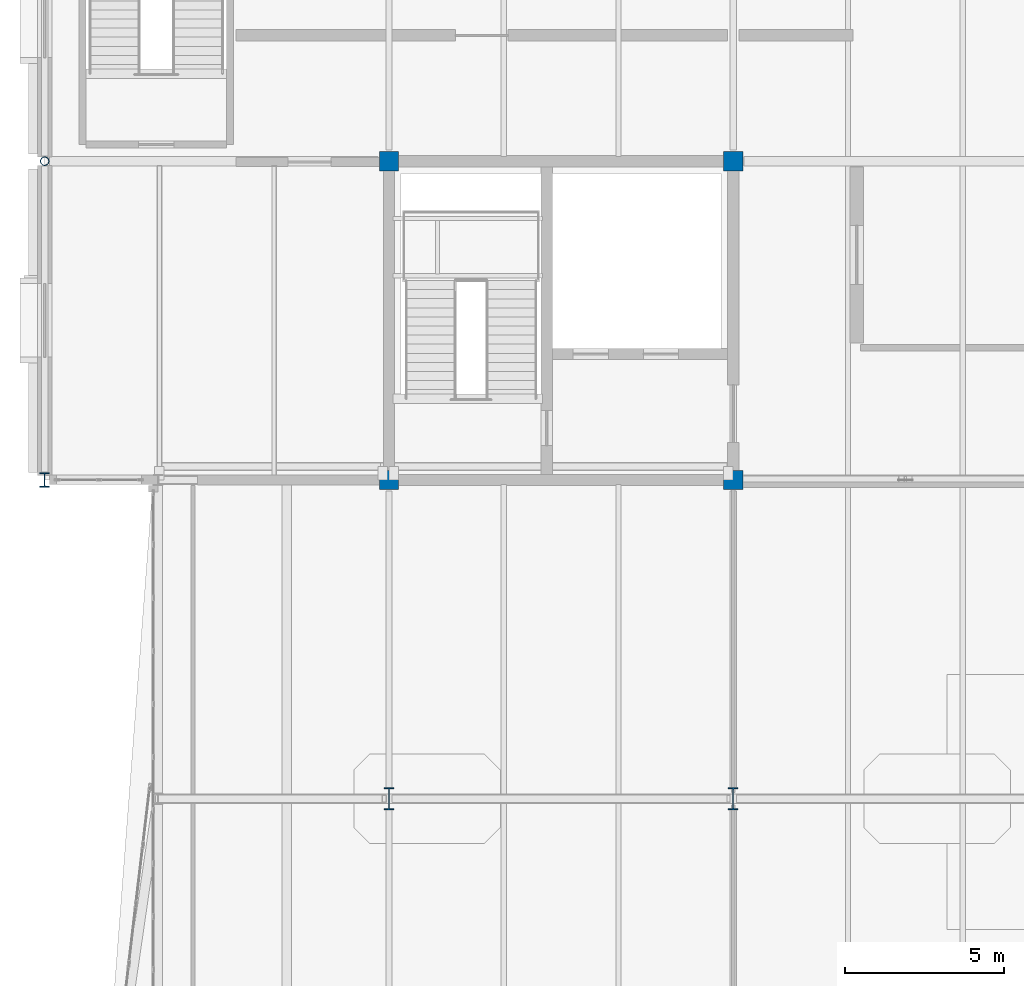
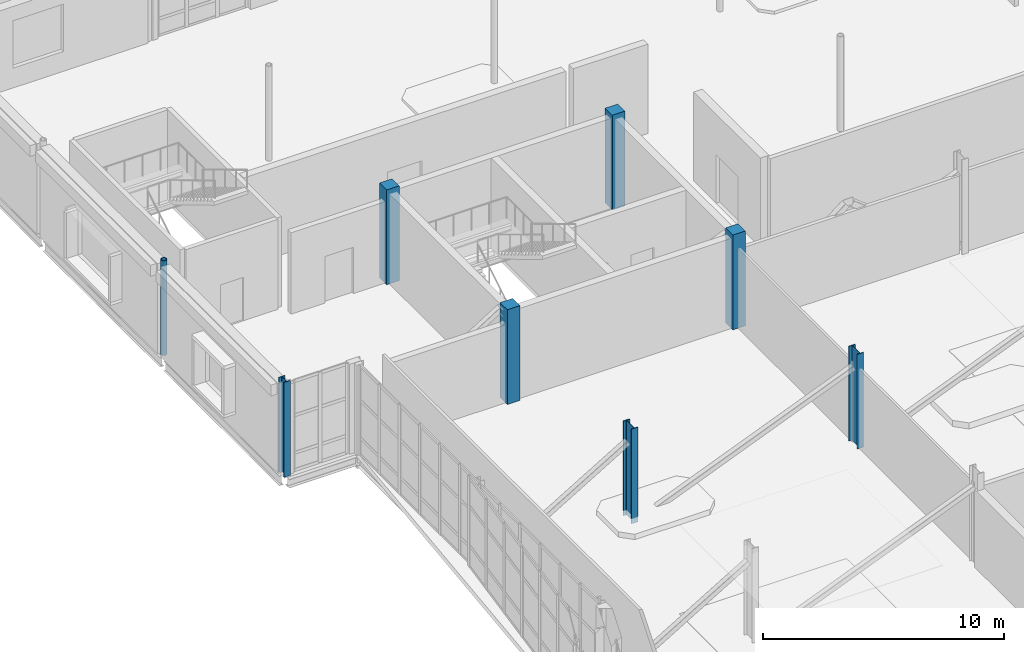
# One storey, part 6 of 100: 8 columns.
"""IFC4 building model written with IfcOpenShell, lengths in metres."""

from ifc_helpers import new_model, si_unit, direction, frame, origin, origin_2d, place, context, subcontext, project, spatial, rectangle, hollow_circle, i_section, extrude, material, material_profile, profile_set, type_object, element, save


model = new_model("IFC4")

# Units and contexts
model_context = context("Model", 3, precision=1e-05, world=origin(), true_north=direction((0.0, 1.0)))
body_context = subcontext(model_context, "Body", "Model", "MODEL_VIEW")
ifc_project = project(units=[si_unit("LENGTHUNIT", "METRE"), si_unit("AREAUNIT", "SQUARE_METRE"), si_unit("VOLUMEUNIT", "CUBIC_METRE"), si_unit("PLANEANGLEUNIT", "RADIAN"), si_unit("MASSUNIT", "GRAM", prefix="KILO")], contexts=[model_context])

# Site, building, storey
site_placement = place(None, origin())
site = spatial("IfcSite", under=ifc_project, at=site_placement, CompositionType="ELEMENT")
building_placement = place(site_placement, origin())
building = spatial("IfcBuilding", under=site, at=building_placement, Name="Tasgan Crest Museum", CompositionType="ELEMENT")
storey_placement = place(building_placement, frame((0.0, 0.0, 9.60009765625)))
storey = spatial("IfcBuildingStorey", under=building, at=storey_placement, Name="L02", CompositionType="ELEMENT", Elevation=9.60009765625)

# Columns
ifc_material_1 = material(Name="Steel S355J2", Category="steel")
ifc_material_profile_1 = material_profile(ifc_material_1, hollow_circle(Radius=0.136474609375, WallThickness=0.012451171875, at=origin_2d()), Name="CHS 273x12.5")
ifc_profile_set_1 = profile_set([ifc_material_profile_1], Name="Steel S355J2")
column_type_1 = type_object("IfcColumnType", Name="COL-CHS273", PredefinedType="COLUMN", material=ifc_profile_set_1)
column_1_placement = place(storey_placement, frame((0.0, 92.0, 0.0), z_axis=(0.0, 0.0, 1.0), x_axis=(1.0, 0.0, 0.0)))
element("IfcColumn", 1, at=column_1_placement, inside=storey, type_object=column_type_1, Name="Column 1/K L02", PredefinedType="COLUMN", context=body_context, shape_type="SweptSolid", body=[
    extrude(hollow_circle(Radius=0.136474609375, WallThickness=0.012451171875, at=origin_2d()), origin(), (0.0, 0.0, 1.0), 4.7998046875),
])
ifc_material_2 = material(Name="Steel S355J2", Category="steel")
ifc_material_profile_2 = material_profile(ifc_material_2, i_section(OverallWidth=0.300048828125, OverallDepth=0.449951171875, WebThickness=0.013916015625, FlangeThickness=0.02587890625, FilletRadius=0.027099609375, at=origin_2d()), Name="HEB 450")
ifc_profile_set_2 = profile_set([ifc_material_profile_2], Name="Steel S355J2")
column_type_2 = type_object("IfcColumnType", Name="COL-HEB450", PredefinedType="COLUMN", material=ifc_profile_set_2)
column_2_placement = place(storey_placement, frame((0.0, 82.0, 0.0), z_axis=(0.0, 0.0, 1.0), x_axis=(1.0, 0.0, 0.0)))
element("IfcColumn", 2, at=column_2_placement, inside=storey, type_object=column_type_2, Name="Column 1/J L02", PredefinedType="COLUMN", context=body_context, shape_type="SweptSolid", body=[
    extrude(i_section(OverallWidth=0.300048828125, OverallDepth=0.449951171875, WebThickness=0.013916015625, FlangeThickness=0.02587890625, FilletRadius=0.027099609375, at=origin_2d()), origin(), (0.0, 0.0, 1.0), 4.7998046875),
])
ifc_material_3 = material(Name="Steel S355K2", Category="steel")
ifc_material_profile_3 = material_profile(ifc_material_3, i_section(OverallWidth=0.300048828125, OverallDepth=0.699951171875, WebThickness=0.01708984375, FlangeThickness=0.031982421875, FilletRadius=0.027099609375, at=origin_2d()), Name="HEB 700")
ifc_profile_set_3 = profile_set([ifc_material_profile_3], Name="Steel S355K2")
column_type_3 = type_object("IfcColumnType", Name="COL-HEB700", PredefinedType="COLUMN", material=ifc_profile_set_3)
for number, where, z_axis, x_axis, name in (
    (3, (10.800048828125, 72.0, 0.0), (0.0, 0.0, 1.0), (1.0, 0.0, 0.0), "Column 2/H L02"),
    (4, (21.60009765625, 72.0, 0.0), (0.0, 0.0, 1.0), (1.0, 0.0, 0.0), "Column 3/H L02"),
):
    element("IfcColumn", number, at=place(storey_placement, frame(where, z_axis=z_axis, x_axis=x_axis)), inside=storey, type_object=column_type_3, Name=name, PredefinedType="COLUMN", context=body_context, shape_type="SweptSolid", body=[
        extrude(i_section(OverallWidth=0.300048828125, OverallDepth=0.699951171875, WebThickness=0.01708984375, FlangeThickness=0.031982421875, FilletRadius=0.027099609375, at=origin_2d()), origin(), (0.0, 0.0, 1.0), 4.7998046875),
    ])
ifc_material_4 = material(Name="Concrete C40/50", Category="concrete")
ifc_material_profile_4 = material_profile(ifc_material_4, rectangle(XDim=0.60009765625, YDim=0.60009765625, at=origin_2d()), Name="RC 600x600")
ifc_profile_set_4 = profile_set([ifc_material_profile_4], Name="Concrete C40/50")
column_type_4 = type_object("IfcColumnType", Name="COL-RC600", PredefinedType="COLUMN", material=ifc_profile_set_4)
for number, where, z_axis, x_axis, name in (
    (5, (10.800048828125, 82.0, 0.0), (0.0, 0.0, 1.0), (1.0, 0.0, 0.0), "Column 2/J L02"),
    (6, (10.800048828125, 92.0, 0.0), (0.0, 0.0, 1.0), (1.0, 0.0, 0.0), "Column 2/K L02"),
    (7, (21.60009765625, 82.0, 0.0), (0.0, 0.0, 1.0), (1.0, 0.0, 0.0), "Column 3/J L02"),
    (8, (21.60009765625, 92.0, 0.0), (0.0, 0.0, 1.0), (1.0, 0.0, 0.0), "Column 3/K L02"),
):
    element("IfcColumn", number, at=place(storey_placement, frame(where, z_axis=z_axis, x_axis=x_axis)), inside=storey, type_object=column_type_4, Name=name, PredefinedType="COLUMN", context=body_context, shape_type="SweptSolid", body=[
        extrude(rectangle(XDim=0.60009765625, YDim=0.60009765625, at=origin_2d()), origin(), (0.0, 0.0, 1.0), 4.7998046875),
    ])

save(model, "model.ifc")
